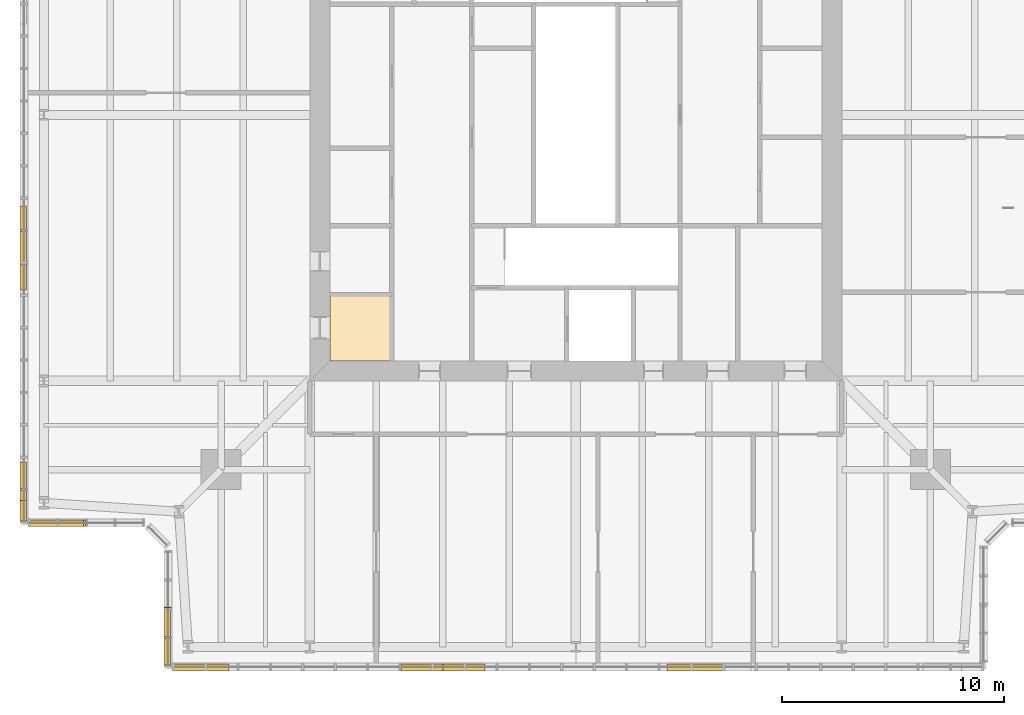
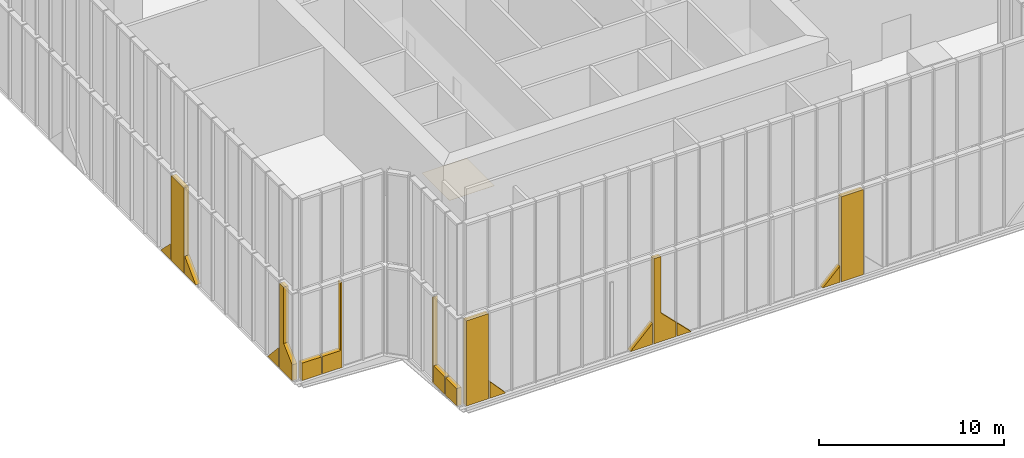
# One storey, part 20 of 25: 18 coverings.
"""IFC4 building model written with IfcOpenShell, lengths in metres."""

from ifc_helpers import new_model, si_unit, direction, frame, origin, place, context, subcontext, project, spatial, polyline, outline, extrude, material, layer, layer_set, type_object, element, save


model = new_model("IFC4")

# Units and contexts
model_context = context("Model", 3, precision=1e-05, world=origin(), true_north=direction((0.0, 1.0)))
body_context = subcontext(model_context, "Body", "Model", "MODEL_VIEW")
ifc_project = project(units=[si_unit("LENGTHUNIT", "METRE"), si_unit("AREAUNIT", "SQUARE_METRE"), si_unit("VOLUMEUNIT", "CUBIC_METRE"), si_unit("PLANEANGLEUNIT", "RADIAN"), si_unit("MASSUNIT", "GRAM", prefix="KILO")], contexts=[model_context])

# Site, building, storey
site_placement = place(None, origin())
site = spatial("IfcSite", under=ifc_project, at=site_placement, CompositionType="ELEMENT")
building_placement = place(site_placement, origin())
building = spatial("IfcBuilding", under=site, at=building_placement, Name="Fenwick Lantern Interchange", CompositionType="ELEMENT")
storey_placement = place(building_placement, frame((0.0, 0.0, 307.800048828125)))
storey = spatial("IfcBuildingStorey", under=building, at=storey_placement, Name="L74", CompositionType="ELEMENT", Elevation=307.800048828125)

# Coverings
ifc_material_1 = material(Name="Granite cladding, warm grey flamed finish, on aluminium carrier frame", Category="masonry")
ifc_layer_1 = layer(ifc_material_1, 0.300048828125)
ifc_layer_set_1 = layer_set([ifc_layer_1], Name="BRACE CASING PANEL 300")
covering_type_1 = type_object("IfcCoveringType", Name="BRACE CASING PANEL 300", PredefinedType="CLADDING", material=ifc_layer_set_1)
covering_1_placement = place(storey_placement, frame((6.60009765625, 0.10009765625, 0.0), z_axis=(0.0, 0.0, 1.0), x_axis=(1.0, 0.0, 0.0)))
element("IfcCovering", 1, at=covering_1_placement, inside=storey, type_object=covering_type_1, Name="Brace casing 01 bay 00a", PredefinedType="CLADDING", context=body_context, shape_type="SweptSolid", body=[
    extrude(outline(polyline([(0.280029296875, 0.0), (1.660888671875, 0.0), (1.660888671875, 5.60986328125), (0.280029296875, 5.60986328125), (0.280029296875, 0.0)])), frame((0.0, 0.125, 0.0), z_axis=(0.0, -1.0, 0.0), x_axis=(1.0, 0.0, 0.0)), (0.0, 0.0, 1.0), 0.300048828125),
])
covering_2_placement = place(storey_placement, frame((6.60009765625, 0.10009765625, 0.0), z_axis=(0.0, 0.0, 1.0), x_axis=(1.0, 0.0, 0.0)))
element("IfcCovering", 2, at=covering_2_placement, inside=storey, type_object=covering_type_1, Name="Brace casing 01 bay 01a", PredefinedType="CLADDING", context=body_context, shape_type="SweptSolid", body=[
    extrude(outline(polyline([(1.74072265625, 0.0), (2.74609375, 0.0), (1.74072265625, 1.096435546875), (1.74072265625, 0.0)])), frame((0.0, 0.125, 0.0), z_axis=(0.0, -1.0, 0.0), x_axis=(1.0, 0.0, 0.0)), (0.0, 0.0, 1.0), 0.300048828125),
])
covering_3_placement = place(storey_placement, frame((6.60009765625, 0.10009765625, 0.0), z_axis=(0.0, 0.0, 1.0), x_axis=(1.0, 0.0, 0.0)))
element("IfcCovering", 3, at=covering_3_placement, inside=storey, type_object=covering_type_1, Name="Brace casing 01 bay 07a", PredefinedType="CLADDING", context=body_context, shape_type="SweptSolid", body=[
    extrude(outline(polyline([(10.505615234375, 0.0), (11.886474609375, 0.0), (11.886474609375, 1.3818359375), (10.505615234375, 0.001220703125), (10.505615234375, 0.0)])), frame((0.0, 0.125, 0.0), z_axis=(0.0, -1.0, 0.0), x_axis=(1.0, 0.0, 0.0)), (0.0, 0.0, 1.0), 0.300048828125),
])
covering_4_placement = place(storey_placement, frame((6.60009765625, 0.10009765625, 0.0), z_axis=(0.0, 0.0, 1.0), x_axis=(1.0, 0.0, 0.0)))
element("IfcCovering", 4, at=covering_4_placement, inside=storey, type_object=covering_type_1, Name="Brace casing 01 bay 08a", PredefinedType="CLADDING", context=body_context, shape_type="SweptSolid", body=[
    extrude(outline(polyline([(11.96630859375, 0.0), (13.34716796875, 0.0), (13.34716796875, 0.9482421875), (12.39990234375, 1.8955078125), (12.39990234375, 5.60986328125), (11.96630859375, 5.60986328125), (11.96630859375, 0.0)])), frame((0.0, 0.125, 0.0), z_axis=(0.0, -1.0, 0.0), x_axis=(1.0, 0.0, 0.0)), (0.0, 0.0, 1.0), 0.300048828125),
])
covering_5_placement = place(storey_placement, frame((6.60009765625, 0.10009765625, 0.0), z_axis=(0.0, 0.0, 1.0), x_axis=(1.0, 0.0, 0.0)))
element("IfcCovering", 5, at=covering_5_placement, inside=storey, type_object=covering_type_1, Name="Brace casing 01 bay 09a", PredefinedType="CLADDING", context=body_context, shape_type="SweptSolid", body=[
    extrude(outline(polyline([(13.42724609375, 0.0), (14.295654296875, 0.0), (13.42724609375, 0.868408203125), (13.42724609375, 0.0)])), frame((0.0, 0.125, 0.0), z_axis=(0.0, -1.0, 0.0), x_axis=(1.0, 0.0, 0.0)), (0.0, 0.0, 1.0), 0.300048828125),
])
covering_6_placement = place(storey_placement, frame((6.60009765625, 0.10009765625, 0.0), z_axis=(0.0, 0.0, 1.0), x_axis=(1.0, 0.0, 0.0)))
element("IfcCovering", 6, at=covering_6_placement, inside=storey, type_object=covering_type_1, Name="Brace casing 01 bay 15a", PredefinedType="CLADDING", context=body_context, shape_type="SweptSolid", body=[
    extrude(outline(polyline([(22.50439453125, 0.0), (23.57275390625, 0.0), (23.57275390625, 1.068359375), (22.50439453125, 0.0)])), frame((0.0, 0.125, 0.0), z_axis=(0.0, -1.0, 0.0), x_axis=(1.0, 0.0, 0.0)), (0.0, 0.0, 1.0), 0.300048828125),
])
covering_7_placement = place(storey_placement, frame((6.60009765625, 0.10009765625, 0.0), z_axis=(0.0, 0.0, 1.0), x_axis=(1.0, 0.0, 0.0)))
element("IfcCovering", 7, at=covering_7_placement, inside=storey, type_object=covering_type_1, Name="Brace casing 01 bay 16a", PredefinedType="CLADDING", context=body_context, shape_type="SweptSolid", body=[
    extrude(outline(polyline([(23.65283203125, 0.0), (25.03369140625, 0.0), (25.03369140625, 5.60986328125), (23.65283203125, 5.60986328125), (23.65283203125, 0.0)])), frame((0.0, 0.125, 0.0), z_axis=(0.0, -1.0, 0.0), x_axis=(1.0, 0.0, 0.0)), (0.0, 0.0, 1.0), 0.300048828125),
])
covering_8_placement = place(storey_placement, frame((0.10009765625, 43.39990234375, 0.0), z_axis=(0.0, 0.0, 1.0), x_axis=(0.0, -1.0, 0.0)))
element("IfcCovering", 8, at=covering_8_placement, inside=storey, type_object=covering_type_1, Name="Brace casing 13 bay 15a", PredefinedType="CLADDING", context=body_context, shape_type="SweptSolid", body=[
    extrude(outline(polyline([(22.50439453125, 0.0), (23.57275390625, 0.0), (23.57275390625, 1.068359375), (22.50439453125, 0.0)])), frame((0.0, 0.125, 0.0), z_axis=(0.0, -1.0, 0.0), x_axis=(1.0, 0.0, 0.0)), (0.0, 0.0, 1.0), 0.300048828125),
])
covering_9_placement = place(storey_placement, frame((0.10009765625, 43.39990234375, 0.0), z_axis=(0.0, 0.0, 1.0), x_axis=(0.0, -1.0, 0.0)))
element("IfcCovering", 9, at=covering_9_placement, inside=storey, type_object=covering_type_1, Name="Brace casing 13 bay 16a", PredefinedType="CLADDING", context=body_context, shape_type="SweptSolid", body=[
    extrude(outline(polyline([(23.65283203125, 0.0), (25.03369140625, 0.0), (25.03369140625, 5.60986328125), (23.65283203125, 5.60986328125), (23.65283203125, 0.0)])), frame((0.0, 0.125, 0.0), z_axis=(0.0, -1.0, 0.0), x_axis=(1.0, 0.0, 0.0)), (0.0, 0.0, 1.0), 0.300048828125),
])
covering_10_placement = place(storey_placement, frame((0.10009765625, 43.39990234375, 0.0), z_axis=(0.0, 0.0, 1.0), x_axis=(0.0, -1.0, 0.0)))
element("IfcCovering", 10, at=covering_10_placement, inside=storey, type_object=covering_type_1, Name="Brace casing 13 bay 17a", PredefinedType="CLADDING", context=body_context, shape_type="SweptSolid", body=[
    extrude(outline(polyline([(25.113525390625, 0.0), (26.295654296875, 0.0), (25.113525390625, 1.181884765625), (25.113525390625, 0.0)])), frame((0.0, 0.125, 0.0), z_axis=(0.0, -1.0, 0.0), x_axis=(1.0, 0.0, 0.0)), (0.0, 0.0, 1.0), 0.300048828125),
])
covering_11_placement = place(storey_placement, frame((0.10009765625, 43.39990234375, 0.0), z_axis=(0.0, 0.0, 1.0), x_axis=(0.0, -1.0, 0.0)))
element("IfcCovering", 11, at=covering_11_placement, inside=storey, type_object=covering_type_1, Name="Brace casing 13 bay 23a", PredefinedType="CLADDING", context=body_context, shape_type="SweptSolid", body=[
    extrude(outline(polyline([(34.053955078125, 0.0), (35.25927734375, 0.0), (35.25927734375, 1.314697265625), (34.053955078125, 0.0)])), frame((0.0, 0.125, 0.0), z_axis=(0.0, -1.0, 0.0), x_axis=(1.0, 0.0, 0.0)), (0.0, 0.0, 1.0), 0.300048828125),
])
covering_12_placement = place(storey_placement, frame((0.10009765625, 43.39990234375, 0.0), z_axis=(0.0, 0.0, 1.0), x_axis=(0.0, -1.0, 0.0)))
element("IfcCovering", 12, at=covering_12_placement, inside=storey, type_object=covering_type_1, Name="Brace casing 13 bay 24a", PredefinedType="CLADDING", context=body_context, shape_type="SweptSolid", body=[
    extrude(outline(polyline([(35.339111328125, 0.0), (36.719970703125, 0.0), (36.719970703125, 1.0400390625), (35.789306640625, 1.89306640625), (35.789306640625, 5.60986328125), (35.339111328125, 5.60986328125), (35.339111328125, 0.0)])), frame((0.0, 0.125, 0.0), z_axis=(0.0, -1.0, 0.0), x_axis=(1.0, 0.0, 0.0)), (0.0, 0.0, 1.0), 0.300048828125),
])
covering_13_placement = place(storey_placement, frame((0.10009765625, 6.60009765625, 0.0), z_axis=(0.0, 0.0, 1.0), x_axis=(1.0, 0.0, 0.0)))
element("IfcCovering", 13, at=covering_13_placement, inside=storey, type_object=covering_type_1, Name="Brace casing 14 bay 00a", PredefinedType="CLADDING", context=body_context, shape_type="SweptSolid", body=[
    extrude(outline(polyline([(0.280029296875, 0.0), (1.490234375, 0.0), (1.490234375, 1.14990234375), (0.280029296875, 1.14990234375), (0.280029296875, 0.0)])), frame((0.0, 0.125, 0.0), z_axis=(0.0, -1.0, 0.0), x_axis=(1.0, 0.0, 0.0)), (0.0, 0.0, 1.0), 0.300048828125),
])
covering_14_placement = place(storey_placement, frame((0.10009765625, 6.60009765625, 0.0), z_axis=(0.0, 0.0, 1.0), x_axis=(1.0, 0.0, 0.0)))
element("IfcCovering", 14, at=covering_14_placement, inside=storey, type_object=covering_type_1, Name="Brace casing 14 bay 01a", PredefinedType="CLADDING", context=body_context, shape_type="SweptSolid", body=[
    extrude(outline(polyline([(1.5703125, 0.0), (2.78076171875, 0.0), (2.78076171875, 5.60986328125), (2.699951171875, 5.60986328125), (2.699951171875, 1.14990234375), (1.5703125, 1.14990234375), (1.5703125, 0.0)])), frame((0.0, 0.125, 0.0), z_axis=(0.0, -1.0, 0.0), x_axis=(1.0, 0.0, 0.0)), (0.0, 0.0, 1.0), 0.300048828125),
])
covering_15_placement = place(storey_placement, frame((6.60009765625, 5.54150390625, 0.0), z_axis=(0.0, 0.0, 1.0), x_axis=(0.0, -1.0, 0.0)))
element("IfcCovering", 15, at=covering_15_placement, inside=storey, type_object=covering_type_1, Name="Brace casing 16 bay 01a", PredefinedType="CLADDING", context=body_context, shape_type="SweptSolid", body=[
    extrude(outline(polyline([(2.741455078125, 0.0), (2.78076171875, 0.0), (2.78076171875, 5.60986328125), (2.741455078125, 5.60986328125), (2.741455078125, 0.0)])), frame((0.0, 0.125, 0.0), z_axis=(0.0, -1.0, 0.0), x_axis=(1.0, 0.0, 0.0)), (0.0, 0.0, 1.0), 0.300048828125),
])
covering_16_placement = place(storey_placement, frame((6.60009765625, 5.54150390625, 0.0), z_axis=(0.0, 0.0, 1.0), x_axis=(0.0, -1.0, 0.0)))
element("IfcCovering", 16, at=covering_16_placement, inside=storey, type_object=covering_type_1, Name="Brace casing 16 bay 02a", PredefinedType="CLADDING", context=body_context, shape_type="SweptSolid", body=[
    extrude(outline(polyline([(2.860595703125, 0.0), (4.071044921875, 0.0), (4.071044921875, 1.14990234375), (2.860595703125, 1.14990234375), (2.860595703125, 0.0)])), frame((0.0, 0.125, 0.0), z_axis=(0.0, -1.0, 0.0), x_axis=(1.0, 0.0, 0.0)), (0.0, 0.0, 1.0), 0.300048828125),
])
covering_17_placement = place(storey_placement, frame((6.60009765625, 5.54150390625, 0.0), z_axis=(0.0, 0.0, 1.0), x_axis=(0.0, -1.0, 0.0)))
element("IfcCovering", 17, at=covering_17_placement, inside=storey, type_object=covering_type_1, Name="Brace casing 16 bay 03a", PredefinedType="CLADDING", context=body_context, shape_type="SweptSolid", body=[
    extrude(outline(polyline([(4.151123046875, 0.0), (5.361328125, 0.0), (5.361328125, 1.14990234375), (4.151123046875, 1.14990234375), (4.151123046875, 0.0)])), frame((0.0, 0.125, 0.0), z_axis=(0.0, -1.0, 0.0), x_axis=(1.0, 0.0, 0.0)), (0.0, 0.0, 1.0), 0.300048828125),
])
ifc_material_2 = material(Name="Moisture resistant gypsum board on suspended frame, painted")
ifc_layer_2 = layer(ifc_material_2, 0.014892578125)
ifc_layer_set_2 = layer_set([ifc_layer_2], Name="MOISTURE RESISTANT CEILING 15")
covering_type_2 = type_object("IfcCoveringType", Name="MOISTURE RESISTANT CEILING 15", PredefinedType="CEILING", material=ifc_layer_set_2)
covering_18_placement = place(storey_placement, frame((0.0, 0.0, 2.599853515625)))
element("IfcCovering", 18, at=covering_18_placement, inside=storey, type_object=covering_type_2, Name="Accessible WC ceiling", PredefinedType="CEILING", context=body_context, shape_type="SweptSolid", body=[
    extrude(outline(polyline([(13.89990234375, 13.89990234375), (16.699951171875, 13.89990234375), (16.699951171875, 16.89990234375), (13.89990234375, 16.89990234375), (13.89990234375, 13.89990234375)])), origin(), (0.0, 0.0, 1.0), 0.01513671875),
])

save(model, "model.ifc")
